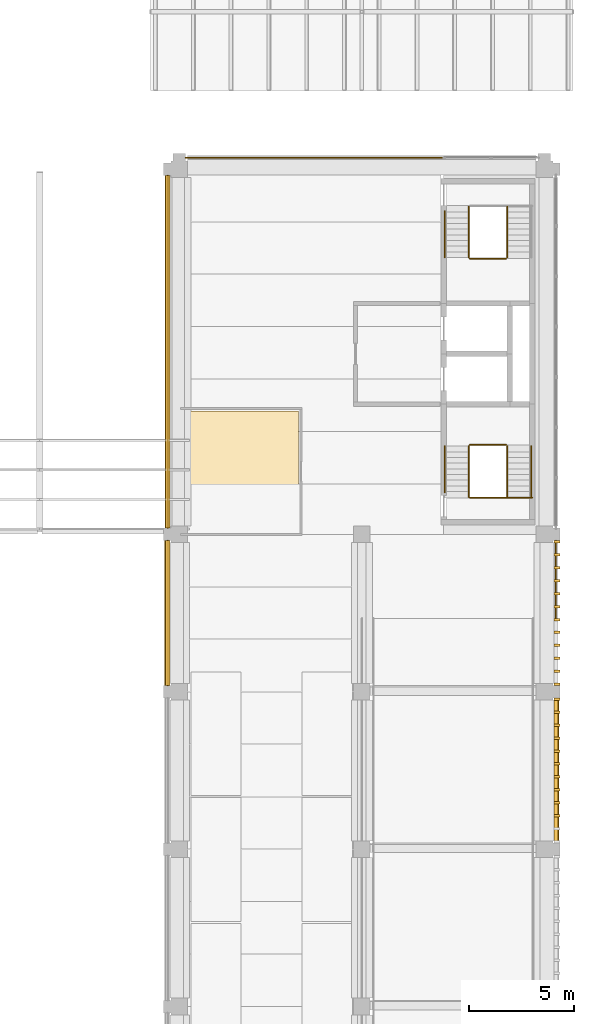
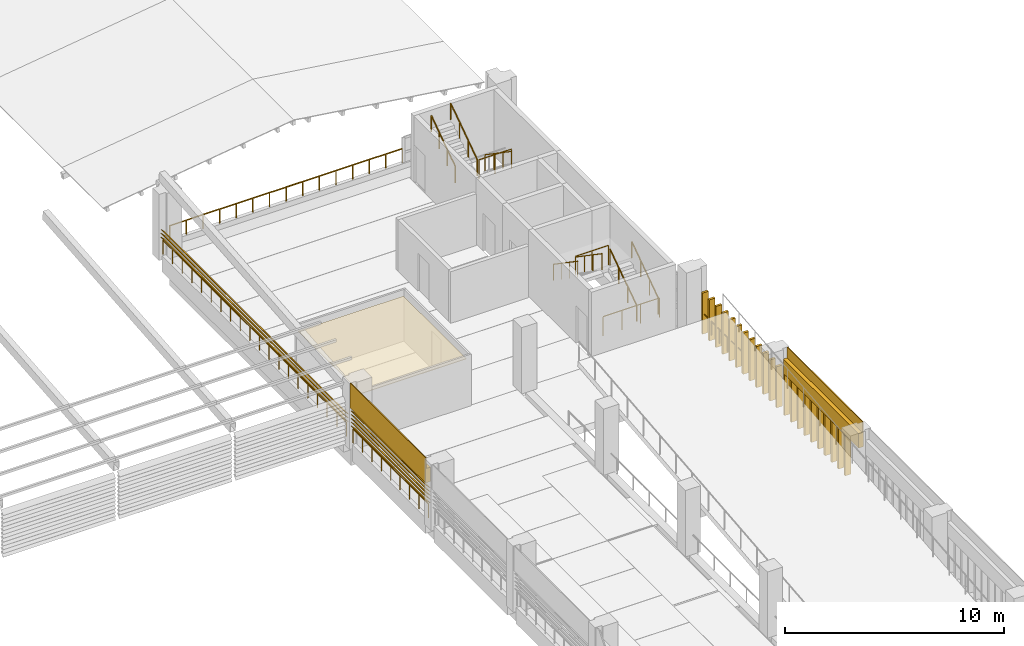
# One storey, part 49 of 52: 25 coverings, 14 railings, 8 shading devices.
"""IFC4 building model written with IfcOpenShell, lengths in metres."""

from ifc_helpers import new_model, si_unit, direction, frame, origin, origin_2d, place, context, subcontext, project, spatial, polyline, circle, outline, extrude, material, layer, layer_set, type_object, element, save


model = new_model("IFC4")

# Units and contexts
model_context = context("Model", 3, precision=1e-05, world=origin(), true_north=direction((0.0, 1.0)))
body_context = subcontext(model_context, "Body", "Model", "MODEL_VIEW")
ifc_project = project(units=[si_unit("LENGTHUNIT", "METRE"), si_unit("AREAUNIT", "SQUARE_METRE"), si_unit("VOLUMEUNIT", "CUBIC_METRE"), si_unit("PLANEANGLEUNIT", "RADIAN"), si_unit("MASSUNIT", "GRAM", prefix="KILO")], contexts=[model_context])

# Site, building, storey
site_placement = place(None, origin())
site = spatial("IfcSite", under=ifc_project, at=site_placement, CompositionType="ELEMENT")
building_placement = place(site_placement, origin())
building = spatial("IfcBuilding", under=site, at=building_placement, Name="Cour d'Honneur Mobility Palace", CompositionType="ELEMENT")
storey_placement = place(building_placement, frame((0.0, 0.0, 23.0)))
storey = spatial("IfcBuildingStorey", under=building, at=storey_placement, Name="L06", CompositionType="ELEMENT", Elevation=23.0)

# Railings
ifc_material_1 = material(Name="Painted steel", Category="steel")
railing_type_1 = type_object("IfcRailingType", Name="Balustrade", PredefinedType="BALUSTRADE", material=ifc_material_1)
railing_1_placement = place(storey_placement, frame((162.85009765625, 41.0, 0.300048828125)))
element("IfcRailing", 1, at=railing_1_placement, inside=storey, type_object=railing_type_1, Name="Balustrade BAL-353", PredefinedType="BALUSTRADE", context=body_context, shape_type="SweptSolid", body=[
    extrude(circle(Radius=0.02392578125, at=origin_2d()), frame((0.0, 0.0, 0.77587890625), z_axis=(0.0, 1.0, 0.0), x_axis=(-1.0, 0.0, 0.0)), (0.0, 0.0, 1.0), 3.699951171875),
    extrude(circle(Radius=0.02099609375, at=origin_2d()), origin(), (0.0, 0.0, 1.0), 0.751953125),
    extrude(circle(Radius=0.02099609375, at=origin_2d()), frame((0.0, 0.739990234375, 0.0)), (0.0, 0.0, 1.0), 0.751953125),
    extrude(circle(Radius=0.02099609375, at=origin_2d()), frame((0.0, 1.47998046875, 0.0)), (0.0, 0.0, 1.0), 0.751953125),
    extrude(circle(Radius=0.02099609375, at=origin_2d()), frame((0.0, 2.219970703125, 0.0)), (0.0, 0.0, 1.0), 0.751953125),
    extrude(circle(Radius=0.02099609375, at=origin_2d()), frame((0.0, 2.9599609375, 0.0)), (0.0, 0.0, 1.0), 0.751953125),
    extrude(circle(Radius=0.02099609375, at=origin_2d()), frame((0.0, 3.699951171875, 0.0)), (0.0, 0.0, 1.0), 0.751953125),
])
railing_2_placement = place(storey_placement, frame((157.5, 62.949951171875, 0.300048828125)))
element("IfcRailing", 2, at=railing_2_placement, inside=storey, type_object=railing_type_1, Name="Balustrade BAL-354", PredefinedType="BALUSTRADE", context=body_context, shape_type="SweptSolid", body=[
    extrude(circle(Radius=0.02392578125, at=origin_2d()), frame((0.0, 0.0, 0.77587890625), z_axis=(-1.0, 0.0, 0.0), x_axis=(0.0, -1.0, 0.0)), (0.0, 0.0, 1.0), 12.300048828125),
    extrude(circle(Radius=0.02099609375, at=origin_2d()), origin(), (0.0, 0.0, 1.0), 0.751953125),
    extrude(circle(Radius=0.02099609375, at=origin_2d()), frame((-0.878662109375, 0.0, 0.0)), (0.0, 0.0, 1.0), 0.751953125),
    extrude(circle(Radius=0.02099609375, at=origin_2d()), frame((-1.757080078125, 0.0, 0.0)), (0.0, 0.0, 1.0), 0.751953125),
    extrude(circle(Radius=0.02099609375, at=origin_2d()), frame((-2.6357421875, 0.0, 0.0)), (0.0, 0.0, 1.0), 0.751953125),
    extrude(circle(Radius=0.02099609375, at=origin_2d()), frame((-3.514404296875, 0.0, 0.0)), (0.0, 0.0, 1.0), 0.751953125),
    extrude(circle(Radius=0.02099609375, at=origin_2d()), frame((-4.392822265625, 0.0, 0.0)), (0.0, 0.0, 1.0), 0.751953125),
    extrude(circle(Radius=0.02099609375, at=origin_2d()), frame((-5.271484375, 0.0, 0.0)), (0.0, 0.0, 1.0), 0.751953125),
    extrude(circle(Radius=0.02099609375, at=origin_2d()), frame((-6.14990234375, 0.0, 0.0)), (0.0, 0.0, 1.0), 0.751953125),
    extrude(circle(Radius=0.02099609375, at=origin_2d()), frame((-7.028564453125, 0.0, 0.0)), (0.0, 0.0, 1.0), 0.751953125),
    extrude(circle(Radius=0.02099609375, at=origin_2d()), frame((-7.9072265625, 0.0, 0.0)), (0.0, 0.0, 1.0), 0.751953125),
    extrude(circle(Radius=0.02099609375, at=origin_2d()), frame((-8.78564453125, 0.0, 0.0)), (0.0, 0.0, 1.0), 0.751953125),
    extrude(circle(Radius=0.02099609375, at=origin_2d()), frame((-9.664306640625, 0.0, 0.0)), (0.0, 0.0, 1.0), 0.751953125),
    extrude(circle(Radius=0.02099609375, at=origin_2d()), frame((-10.54296875, 0.0, 0.0)), (0.0, 0.0, 1.0), 0.751953125),
    extrude(circle(Radius=0.02099609375, at=origin_2d()), frame((-11.42138671875, 0.0, 0.0)), (0.0, 0.0, 1.0), 0.751953125),
    extrude(circle(Radius=0.02099609375, at=origin_2d()), frame((-12.300048828125, 0.0, 0.0)), (0.0, 0.0, 1.0), 0.751953125),
])
railing_3_placement = place(storey_placement, frame((144.35009765625, 62.10009765625, 0.300048828125)))
element("IfcRailing", 3, at=railing_3_placement, inside=storey, type_object=railing_type_1, Name="Balustrade BAL-355", PredefinedType="BALUSTRADE", context=body_context, shape_type="SweptSolid", body=[
    extrude(circle(Radius=0.02392578125, at=origin_2d()), frame((0.0, 0.0, 0.77587890625), z_axis=(0.0, -1.0, 0.0), x_axis=(1.0, 0.0, 0.0)), (0.0, 0.0, 1.0), 16.800048828125),
    extrude(circle(Radius=0.02099609375, at=origin_2d()), origin(), (0.0, 0.0, 1.0), 0.751953125),
    extrude(circle(Radius=0.02099609375, at=origin_2d()), frame((0.0, -0.88427734375, 0.0)), (0.0, 0.0, 1.0), 0.751953125),
    extrude(circle(Radius=0.02099609375, at=origin_2d()), frame((0.0, -1.768310546875, 0.0)), (0.0, 0.0, 1.0), 0.751953125),
    extrude(circle(Radius=0.02099609375, at=origin_2d()), frame((0.0, -2.652587890625, 0.0)), (0.0, 0.0, 1.0), 0.751953125),
    extrude(circle(Radius=0.02099609375, at=origin_2d()), frame((0.0, -3.536865234375, 0.0)), (0.0, 0.0, 1.0), 0.751953125),
    extrude(circle(Radius=0.02099609375, at=origin_2d()), frame((0.0, -4.421142578125, 0.0)), (0.0, 0.0, 1.0), 0.751953125),
    extrude(circle(Radius=0.02099609375, at=origin_2d()), frame((0.0, -5.30517578125, 0.0)), (0.0, 0.0, 1.0), 0.751953125),
    extrude(circle(Radius=0.02099609375, at=origin_2d()), frame((0.0, -6.189453125, 0.0)), (0.0, 0.0, 1.0), 0.751953125),
    extrude(circle(Radius=0.02099609375, at=origin_2d()), frame((0.0, -7.07373046875, 0.0)), (0.0, 0.0, 1.0), 0.751953125),
    extrude(circle(Radius=0.02099609375, at=origin_2d()), frame((0.0, -7.9580078125, 0.0)), (0.0, 0.0, 1.0), 0.751953125),
    extrude(circle(Radius=0.02099609375, at=origin_2d()), frame((0.0, -8.842041015625, 0.0)), (0.0, 0.0, 1.0), 0.751953125),
    extrude(circle(Radius=0.02099609375, at=origin_2d()), frame((0.0, -9.726318359375, 0.0)), (0.0, 0.0, 1.0), 0.751953125),
    extrude(circle(Radius=0.02099609375, at=origin_2d()), frame((0.0, -10.610595703125, 0.0)), (0.0, 0.0, 1.0), 0.751953125),
    extrude(circle(Radius=0.02099609375, at=origin_2d()), frame((0.0, -11.494873046875, 0.0)), (0.0, 0.0, 1.0), 0.751953125),
    extrude(circle(Radius=0.02099609375, at=origin_2d()), frame((0.0, -12.37890625, 0.0)), (0.0, 0.0, 1.0), 0.751953125),
    extrude(circle(Radius=0.02099609375, at=origin_2d()), frame((0.0, -13.26318359375, 0.0)), (0.0, 0.0, 1.0), 0.751953125),
    extrude(circle(Radius=0.02099609375, at=origin_2d()), frame((0.0, -14.1474609375, 0.0)), (0.0, 0.0, 1.0), 0.751953125),
    extrude(circle(Radius=0.02099609375, at=origin_2d()), frame((0.0, -15.03173828125, 0.0)), (0.0, 0.0, 1.0), 0.751953125),
    extrude(circle(Radius=0.02099609375, at=origin_2d()), frame((0.0, -15.915771484375, 0.0)), (0.0, 0.0, 1.0), 0.751953125),
    extrude(circle(Radius=0.02099609375, at=origin_2d()), frame((0.0, -16.800048828125, 0.0)), (0.0, 0.0, 1.0), 0.751953125),
])
railing_4_placement = place(storey_placement, frame((144.35009765625, 44.699951171875, 0.300048828125)))
element("IfcRailing", 4, at=railing_4_placement, inside=storey, type_object=railing_type_1, Name="Balustrade BAL-356", PredefinedType="BALUSTRADE", context=body_context, shape_type="SweptSolid", body=[
    extrude(circle(Radius=0.02392578125, at=origin_2d()), frame((0.0, 0.0, 0.77587890625), z_axis=(0.0, -1.0, 0.0), x_axis=(1.0, 0.0, 0.0)), (0.0, 0.0, 1.0), 6.89990234375),
    extrude(circle(Radius=0.02099609375, at=origin_2d()), origin(), (0.0, 0.0, 1.0), 0.751953125),
    extrude(circle(Radius=0.02099609375, at=origin_2d()), frame((0.0, -0.862548828125, 0.0)), (0.0, 0.0, 1.0), 0.751953125),
    extrude(circle(Radius=0.02099609375, at=origin_2d()), frame((0.0, -1.72509765625, 0.0)), (0.0, 0.0, 1.0), 0.751953125),
    extrude(circle(Radius=0.02099609375, at=origin_2d()), frame((0.0, -2.58740234375, 0.0)), (0.0, 0.0, 1.0), 0.751953125),
    extrude(circle(Radius=0.02099609375, at=origin_2d()), frame((0.0, -3.449951171875, 0.0)), (0.0, 0.0, 1.0), 0.751953125),
    extrude(circle(Radius=0.02099609375, at=origin_2d()), frame((0.0, -4.3125, 0.0)), (0.0, 0.0, 1.0), 0.751953125),
    extrude(circle(Radius=0.02099609375, at=origin_2d()), frame((0.0, -5.1748046875, 0.0)), (0.0, 0.0, 1.0), 0.751953125),
    extrude(circle(Radius=0.02099609375, at=origin_2d()), frame((0.0, -6.037353515625, 0.0)), (0.0, 0.0, 1.0), 0.751953125),
    extrude(circle(Radius=0.02099609375, at=origin_2d()), frame((0.0, -6.89990234375, 0.0)), (0.0, 0.0, 1.0), 0.751953125),
])
ifc_material_2 = material(Name="Painted steel", Category="steel")
railing_type_2 = type_object("IfcRailingType", Name="Guardrail 1100", PredefinedType="GUARDRAIL", material=ifc_material_2)
railing_5_placement = place(storey_placement, frame((158.75, 46.7548828125, 0.0)))
element("IfcRailing", 5, at=railing_5_placement, inside=storey, type_object=railing_type_2, Name="Guard ST-CE1", PredefinedType="GUARDRAIL", context=body_context, shape_type="SweptSolid", body=[
    extrude(circle(Radius=0.02490234375, at=origin_2d()), frame((0.0, 0.0, 1.0751953125), z_axis=(1.0, 0.0, 0.0), x_axis=(0.0, 1.0, 0.0)), (0.0, 0.0, 1.0), 2.97509765625),
    extrude(circle(Radius=0.02099609375, at=origin_2d()), origin(), (0.0, 0.0, 1.0), 1.050048828125),
    extrude(circle(Radius=0.02099609375, at=origin_2d()), frame((0.99169921875, 0.0, 0.0)), (0.0, 0.0, 1.0), 1.050048828125),
    extrude(circle(Radius=0.02099609375, at=origin_2d()), frame((1.9833984375, 0.0, 0.0)), (0.0, 0.0, 1.0), 1.050048828125),
    extrude(circle(Radius=0.02099609375, at=origin_2d()), frame((2.97509765625, 0.0, 0.0)), (0.0, 0.0, 1.0), 1.050048828125),
])
for number, where, name in (
    (6, (158.75, 49.264892578125, 1.85009765625), "Landing guard ST-CE1"),
    (7, (158.75, 58.135009765625, 1.85009765625), "Landing guard ST-CE2"),
):
    element("IfcRailing", number, at=place(storey_placement, frame(where)), inside=storey, type_object=railing_type_2, Name=name, PredefinedType="GUARDRAIL", context=body_context, shape_type="SweptSolid", body=[
        extrude(circle(Radius=0.02490234375, at=origin_2d()), frame((0.0, 0.0, 1.0751953125), z_axis=(1.0, 0.0, 0.0), x_axis=(0.0, 1.0, 0.0)), (0.0, 0.0, 1.0), 1.72509765625),
        extrude(circle(Radius=0.02099609375, at=origin_2d()), origin(), (0.0, 0.0, 1.0), 1.050048828125),
        extrude(circle(Radius=0.02099609375, at=origin_2d()), frame((0.862548828125, 0.0, 0.0)), (0.0, 0.0, 1.0), 1.050048828125),
        extrude(circle(Radius=0.02099609375, at=origin_2d()), frame((1.72509765625, 0.0, 0.0)), (0.0, 0.0, 1.0), 1.050048828125),
    ])
ifc_material_3 = material(Name="Stainless steel", Category="steel")
railing_type_3 = type_object("IfcRailingType", Name="Handrail round 50", PredefinedType="HANDRAIL", material=ifc_material_3)
for number, where, name in (
    (8, (161.675048828125, 46.77490234375, 0.18505859375), "Handrail ST-CE1"),
    (9, (160.52490234375, 46.77490234375, 0.18505859375), "Handrail ST-CE1"),
):
    element("IfcRailing", number, at=place(storey_placement, frame(where)), inside=storey, type_object=railing_type_3, Name=name, PredefinedType="HANDRAIL", context=body_context, shape_type="SweptSolid", body=[
        extrude(circle(Radius=0.02490234375, at=origin_2d()), frame((0.0, 0.0, 0.89501953125), z_axis=(0.0, 0.824945253146, 0.565212640793), x_axis=(-1.0, 0.0, 0.0)), (0.0, 0.0, 1.0), 2.94580078125),
        extrude(circle(Radius=0.02099609375, at=origin_2d()), origin(), (0.0, 0.0, 1.0), 0.869873046875),
        extrude(circle(Radius=0.02099609375, at=origin_2d()), frame((0.0, 0.81005859375, 0.554931640625)), (0.0, 0.0, 1.0), 0.869873046875),
        extrude(circle(Radius=0.02099609375, at=origin_2d()), frame((0.0, 1.6201171875, 1.110107421875)), (0.0, 0.0, 1.0), 0.869873046875),
        extrude(circle(Radius=0.02099609375, at=origin_2d()), frame((0.0, 2.43017578125, 1.6650390625)), (0.0, 0.0, 1.0), 0.869873046875),
    ])
railing_6_placement = place(storey_placement, frame((158.699951171875, 49.205078125, 2.034912109375)))
element("IfcRailing", 10, at=railing_6_placement, inside=storey, type_object=railing_type_3, Name="Handrail ST-CE1", PredefinedType="HANDRAIL", context=body_context, shape_type="SweptSolid", body=[
    extrude(circle(Radius=0.02490234375, at=origin_2d()), frame((0.0, 0.0, 0.89501953125), z_axis=(0.0, -0.824945253146, 0.565212640793), x_axis=(1.0, 0.0, 0.0)), (0.0, 0.0, 1.0), 2.94580078125),
    extrude(circle(Radius=0.02099609375, at=origin_2d()), origin(), (0.0, 0.0, 1.0), 0.869873046875),
    extrude(circle(Radius=0.02099609375, at=origin_2d()), frame((0.0, -0.81005859375, 0.554931640625)), (0.0, 0.0, 1.0), 0.869873046875),
    extrude(circle(Radius=0.02099609375, at=origin_2d()), frame((0.0, -1.6201171875, 1.110107421875)), (0.0, 0.0, 1.0), 0.869873046875),
    extrude(circle(Radius=0.02099609375, at=origin_2d()), frame((0.0, -2.43017578125, 1.6650390625)), (0.0, 0.0, 1.0), 0.869873046875),
])
railing_7_placement = place(storey_placement, frame((157.550048828125, 49.205078125, 2.034912109375)))
element("IfcRailing", 11, at=railing_7_placement, inside=storey, type_object=railing_type_3, Name="Handrail ST-CE1", PredefinedType="HANDRAIL", context=body_context, shape_type="SweptSolid", body=[
    extrude(circle(Radius=0.02490234375, at=origin_2d()), frame((0.0, 0.0, 0.89501953125), z_axis=(0.0, -0.824915021957, 0.565256761613), x_axis=(1.0, 0.0, 0.0)), (0.0, 0.0, 1.0), 2.673095703125),
    extrude(circle(Radius=0.02099609375, at=origin_2d()), origin(), (0.0, 0.0, 1.0), 0.869873046875),
    extrude(circle(Radius=0.02099609375, at=origin_2d()), frame((0.0, -0.735107421875, 0.503662109375)), (0.0, 0.0, 1.0), 0.869873046875),
    extrude(circle(Radius=0.02099609375, at=origin_2d()), frame((0.0, -1.469970703125, 1.00732421875)), (0.0, 0.0, 1.0), 0.869873046875),
    extrude(circle(Radius=0.02099609375, at=origin_2d()), frame((0.0, -2.205078125, 1.510986328125)), (0.0, 0.0, 1.0), 0.869873046875),
])
railing_8_placement = place(storey_placement, frame((160.52490234375, 60.625, 0.18505859375)))
element("IfcRailing", 12, at=railing_8_placement, inside=storey, type_object=railing_type_3, Name="Handrail ST-CE2", PredefinedType="HANDRAIL", context=body_context, shape_type="SweptSolid", body=[
    extrude(circle(Radius=0.02490234375, at=origin_2d()), frame((0.0, 0.0, 0.89501953125), z_axis=(0.0, -0.8249187745, 0.56525128525), x_axis=(1.0, 0.0, 0.0)), (0.0, 0.0, 1.0), 2.945556640625),
    extrude(circle(Radius=0.02099609375, at=origin_2d()), origin(), (0.0, 0.0, 1.0), 0.869873046875),
    extrude(circle(Radius=0.02099609375, at=origin_2d()), frame((0.0, -0.81005859375, 0.554931640625)), (0.0, 0.0, 1.0), 0.869873046875),
    extrude(circle(Radius=0.02099609375, at=origin_2d()), frame((0.0, -1.619873046875, 1.110107421875)), (0.0, 0.0, 1.0), 0.869873046875),
    extrude(circle(Radius=0.02099609375, at=origin_2d()), frame((0.0, -2.429931640625, 1.6650390625)), (0.0, 0.0, 1.0), 0.869873046875),
])
railing_9_placement = place(storey_placement, frame((158.699951171875, 58.195068359375, 2.034912109375)))
element("IfcRailing", 13, at=railing_9_placement, inside=storey, type_object=railing_type_3, Name="Handrail ST-CE2", PredefinedType="HANDRAIL", context=body_context, shape_type="SweptSolid", body=[
    extrude(circle(Radius=0.02490234375, at=origin_2d()), frame((0.0, 0.0, 0.89501953125), z_axis=(0.0, 0.8249187745, 0.56525128525), x_axis=(-1.0, 0.0, 0.0)), (0.0, 0.0, 1.0), 2.945556640625),
    extrude(circle(Radius=0.02099609375, at=origin_2d()), origin(), (0.0, 0.0, 1.0), 0.869873046875),
    extrude(circle(Radius=0.02099609375, at=origin_2d()), frame((0.0, 0.81005859375, 0.554931640625)), (0.0, 0.0, 1.0), 0.869873046875),
    extrude(circle(Radius=0.02099609375, at=origin_2d()), frame((0.0, 1.619873046875, 1.110107421875)), (0.0, 0.0, 1.0), 0.869873046875),
    extrude(circle(Radius=0.02099609375, at=origin_2d()), frame((0.0, 2.429931640625, 1.6650390625)), (0.0, 0.0, 1.0), 0.869873046875),
])
railing_10_placement = place(storey_placement, frame((157.550048828125, 58.195068359375, 2.034912109375)))
element("IfcRailing", 14, at=railing_10_placement, inside=storey, type_object=railing_type_3, Name="Handrail ST-CE2", PredefinedType="HANDRAIL", context=body_context, shape_type="SweptSolid", body=[
    extrude(circle(Radius=0.02490234375, at=origin_2d()), frame((0.0, 0.0, 0.89501953125), z_axis=(0.0, 0.82488583654, 0.565299351384), x_axis=(-1.0, 0.0, 0.0)), (0.0, 0.0, 1.0), 2.6728515625),
    extrude(circle(Radius=0.02099609375, at=origin_2d()), origin(), (0.0, 0.0, 1.0), 0.869873046875),
    extrude(circle(Radius=0.02099609375, at=origin_2d()), frame((0.0, 0.73486328125, 0.503662109375)), (0.0, 0.0, 1.0), 0.869873046875),
    extrude(circle(Radius=0.02099609375, at=origin_2d()), frame((0.0, 1.469970703125, 1.00732421875)), (0.0, 0.0, 1.0), 0.869873046875),
    extrude(circle(Radius=0.02099609375, at=origin_2d()), frame((0.0, 2.204833984375, 1.510986328125)), (0.0, 0.0, 1.0), 0.869873046875),
])

# Coverings
ifc_material_4 = material(Name="Cast limestone", Category="masonry")
ifc_layer_1 = layer(ifc_material_4, 0.1201171875)
ifc_layer_set_1 = layer_set([ifc_layer_1], Name="Cast limestone")
covering_type_1 = type_object("IfcCoveringType", Name="Ramp screen fin", PredefinedType="CLADDING", material=ifc_layer_set_1)
covering_1_placement = place(storey_placement, origin())
element("IfcCovering", 15, at=covering_1_placement, inside=storey, type_object=covering_type_1, Name="Ramp screen fin E5.4 L06 3", PredefinedType="CLADDING", context=body_context, shape_type="SweptSolid", body=[
    extrude(outline(polyline([(162.75, 31.53271484375), (162.75, 31.65283203125), (163.050048828125, 31.65283203125), (163.050048828125, 31.53271484375), (162.75, 31.53271484375)])), origin(), (0.0, 0.0, 1.0), 2.300048828125),
])
covering_2_placement = place(storey_placement, origin())
element("IfcCovering", 16, at=covering_2_placement, inside=storey, type_object=covering_type_1, Name="Ramp screen fin E5.4 L06 4", PredefinedType="CLADDING", context=body_context, shape_type="SweptSolid", body=[
    extrude(outline(polyline([(162.75, 32.149169921875), (162.75, 32.26904296875), (163.050048828125, 32.26904296875), (163.050048828125, 32.149169921875), (162.75, 32.149169921875)])), origin(), (0.0, 0.0, 1.0), 2.300048828125),
])
covering_3_placement = place(storey_placement, origin())
element("IfcCovering", 17, at=covering_3_placement, inside=storey, type_object=covering_type_1, Name="Ramp screen fin E5.4 L06 5", PredefinedType="CLADDING", context=body_context, shape_type="SweptSolid", body=[
    extrude(outline(polyline([(162.75, 32.765380859375), (162.75, 32.885498046875), (163.050048828125, 32.885498046875), (163.050048828125, 32.765380859375), (162.75, 32.765380859375)])), origin(), (0.0, 0.0, 1.0), 2.300048828125),
])
covering_4_placement = place(storey_placement, origin())
element("IfcCovering", 18, at=covering_4_placement, inside=storey, type_object=covering_type_1, Name="Ramp screen fin E5.4 L06 6", PredefinedType="CLADDING", context=body_context, shape_type="SweptSolid", body=[
    extrude(outline(polyline([(162.75, 33.3818359375), (162.75, 33.501708984375), (163.050048828125, 33.501708984375), (163.050048828125, 33.3818359375), (162.75, 33.3818359375)])), origin(), (0.0, 0.0, 1.0), 2.300048828125),
])
covering_5_placement = place(storey_placement, origin())
element("IfcCovering", 19, at=covering_5_placement, inside=storey, type_object=covering_type_1, Name="Ramp screen fin E5.4 L06 7", PredefinedType="CLADDING", context=body_context, shape_type="SweptSolid", body=[
    extrude(outline(polyline([(162.75, 33.998291015625), (162.75, 34.1181640625), (163.050048828125, 34.1181640625), (163.050048828125, 33.998291015625), (162.75, 33.998291015625)])), origin(), (0.0, 0.0, 1.0), 2.300048828125),
])
covering_6_placement = place(storey_placement, origin())
element("IfcCovering", 20, at=covering_6_placement, inside=storey, type_object=covering_type_1, Name="Ramp screen fin E5.4 L06 8", PredefinedType="CLADDING", context=body_context, shape_type="SweptSolid", body=[
    extrude(outline(polyline([(162.75, 34.614501953125), (162.75, 34.734619140625), (163.050048828125, 34.734619140625), (163.050048828125, 34.614501953125), (162.75, 34.614501953125)])), origin(), (0.0, 0.0, 1.0), 2.300048828125),
])
covering_7_placement = place(storey_placement, origin())
element("IfcCovering", 21, at=covering_7_placement, inside=storey, type_object=covering_type_1, Name="Ramp screen fin E5.4 L06 9", PredefinedType="CLADDING", context=body_context, shape_type="SweptSolid", body=[
    extrude(outline(polyline([(162.75, 35.23095703125), (162.75, 35.350830078125), (163.050048828125, 35.350830078125), (163.050048828125, 35.23095703125), (162.75, 35.23095703125)])), origin(), (0.0, 0.0, 1.0), 2.300048828125),
])
covering_8_placement = place(storey_placement, origin())
element("IfcCovering", 22, at=covering_8_placement, inside=storey, type_object=covering_type_1, Name="Ramp screen fin E5.4 L06 10", PredefinedType="CLADDING", context=body_context, shape_type="SweptSolid", body=[
    extrude(outline(polyline([(162.75, 35.84716796875), (162.75, 35.96728515625), (163.050048828125, 35.96728515625), (163.050048828125, 35.84716796875), (162.75, 35.84716796875)])), origin(), (0.0, 0.0, 1.0), 2.300048828125),
])
covering_9_placement = place(storey_placement, origin())
element("IfcCovering", 23, at=covering_9_placement, inside=storey, type_object=covering_type_1, Name="Ramp screen fin E5.4 L06 11", PredefinedType="CLADDING", context=body_context, shape_type="SweptSolid", body=[
    extrude(outline(polyline([(162.75, 36.463623046875), (162.75, 36.583740234375), (163.050048828125, 36.583740234375), (163.050048828125, 36.463623046875), (162.75, 36.463623046875)])), origin(), (0.0, 0.0, 1.0), 2.300048828125),
])
covering_10_placement = place(storey_placement, origin())
element("IfcCovering", 24, at=covering_10_placement, inside=storey, type_object=covering_type_1, Name="Ramp screen fin E5.4 L06 12", PredefinedType="CLADDING", context=body_context, shape_type="SweptSolid", body=[
    extrude(outline(polyline([(162.75, 37.080078125), (162.75, 37.199951171875), (163.050048828125, 37.199951171875), (163.050048828125, 37.080078125), (162.75, 37.080078125)])), origin(), (0.0, 0.0, 1.0), 2.300048828125),
])
covering_11_placement = place(storey_placement, origin())
element("IfcCovering", 25, at=covering_11_placement, inside=storey, type_object=covering_type_1, Name="Ramp screen fin E5.5 L06 1", PredefinedType="CLADDING", context=body_context, shape_type="SweptSolid", body=[
    extrude(outline(polyline([(162.75, 37.800048828125), (162.75, 37.919921875), (163.050048828125, 37.919921875), (163.050048828125, 37.800048828125), (162.75, 37.800048828125)])), origin(), (0.0, 0.0, 1.0), 2.300048828125),
])
covering_12_placement = place(storey_placement, origin())
element("IfcCovering", 26, at=covering_12_placement, inside=storey, type_object=covering_type_1, Name="Ramp screen fin E5.5 L06 2", PredefinedType="CLADDING", context=body_context, shape_type="SweptSolid", body=[
    extrude(outline(polyline([(162.75, 38.416259765625), (162.75, 38.536376953125), (163.050048828125, 38.536376953125), (163.050048828125, 38.416259765625), (162.75, 38.416259765625)])), origin(), (0.0, 0.0, 1.0), 2.300048828125),
])
covering_13_placement = place(storey_placement, origin())
element("IfcCovering", 27, at=covering_13_placement, inside=storey, type_object=covering_type_1, Name="Ramp screen fin E5.5 L06 3", PredefinedType="CLADDING", context=body_context, shape_type="SweptSolid", body=[
    extrude(outline(polyline([(162.75, 39.03271484375), (162.75, 39.15283203125), (163.050048828125, 39.15283203125), (163.050048828125, 39.03271484375), (162.75, 39.03271484375)])), origin(), (0.0, 0.0, 1.0), 2.300048828125),
])
covering_14_placement = place(storey_placement, origin())
element("IfcCovering", 28, at=covering_14_placement, inside=storey, type_object=covering_type_1, Name="Ramp screen fin E5.5 L06 4", PredefinedType="CLADDING", context=body_context, shape_type="SweptSolid", body=[
    extrude(outline(polyline([(162.75, 39.649169921875), (162.75, 39.76904296875), (163.050048828125, 39.76904296875), (163.050048828125, 39.649169921875), (162.75, 39.649169921875)])), origin(), (0.0, 0.0, 1.0), 2.300048828125),
])
covering_15_placement = place(storey_placement, origin())
element("IfcCovering", 29, at=covering_15_placement, inside=storey, type_object=covering_type_1, Name="Ramp screen fin E5.5 L06 5", PredefinedType="CLADDING", context=body_context, shape_type="SweptSolid", body=[
    extrude(outline(polyline([(162.75, 40.265380859375), (162.75, 40.385498046875), (163.050048828125, 40.385498046875), (163.050048828125, 40.265380859375), (162.75, 40.265380859375)])), origin(), (0.0, 0.0, 1.0), 2.300048828125),
])
covering_16_placement = place(storey_placement, origin())
element("IfcCovering", 30, at=covering_16_placement, inside=storey, type_object=covering_type_1, Name="Ramp screen fin E5.5 L06 6", PredefinedType="CLADDING", context=body_context, shape_type="SweptSolid", body=[
    extrude(outline(polyline([(162.75, 40.8818359375), (162.75, 41.001708984375), (163.050048828125, 41.001708984375), (163.050048828125, 40.8818359375), (162.75, 40.8818359375)])), origin(), (0.0, 0.0, 1.0), 2.300048828125),
])
covering_17_placement = place(storey_placement, origin())
element("IfcCovering", 31, at=covering_17_placement, inside=storey, type_object=covering_type_1, Name="Ramp screen fin E5.5 L06 7", PredefinedType="CLADDING", context=body_context, shape_type="SweptSolid", body=[
    extrude(outline(polyline([(162.75, 41.498291015625), (162.75, 41.6181640625), (163.050048828125, 41.6181640625), (163.050048828125, 41.498291015625), (162.75, 41.498291015625)])), origin(), (0.0, 0.0, 1.0), 2.300048828125),
])
covering_18_placement = place(storey_placement, origin())
element("IfcCovering", 32, at=covering_18_placement, inside=storey, type_object=covering_type_1, Name="Ramp screen fin E5.5 L06 8", PredefinedType="CLADDING", context=body_context, shape_type="SweptSolid", body=[
    extrude(outline(polyline([(162.75, 42.114501953125), (162.75, 42.234619140625), (163.050048828125, 42.234619140625), (163.050048828125, 42.114501953125), (162.75, 42.114501953125)])), origin(), (0.0, 0.0, 1.0), 2.300048828125),
])
covering_19_placement = place(storey_placement, origin())
element("IfcCovering", 33, at=covering_19_placement, inside=storey, type_object=covering_type_1, Name="Ramp screen fin E5.5 L06 9", PredefinedType="CLADDING", context=body_context, shape_type="SweptSolid", body=[
    extrude(outline(polyline([(162.75, 42.73095703125), (162.75, 42.850830078125), (163.050048828125, 42.850830078125), (163.050048828125, 42.73095703125), (162.75, 42.73095703125)])), origin(), (0.0, 0.0, 1.0), 2.300048828125),
])
covering_20_placement = place(storey_placement, origin())
element("IfcCovering", 34, at=covering_20_placement, inside=storey, type_object=covering_type_1, Name="Ramp screen fin E5.5 L06 10", PredefinedType="CLADDING", context=body_context, shape_type="SweptSolid", body=[
    extrude(outline(polyline([(162.75, 43.34716796875), (162.75, 43.46728515625), (163.050048828125, 43.46728515625), (163.050048828125, 43.34716796875), (162.75, 43.34716796875)])), origin(), (0.0, 0.0, 1.0), 2.300048828125),
])
covering_21_placement = place(storey_placement, origin())
element("IfcCovering", 35, at=covering_21_placement, inside=storey, type_object=covering_type_1, Name="Ramp screen fin E5.5 L06 11", PredefinedType="CLADDING", context=body_context, shape_type="SweptSolid", body=[
    extrude(outline(polyline([(162.75, 43.963623046875), (162.75, 44.083740234375), (163.050048828125, 44.083740234375), (163.050048828125, 43.963623046875), (162.75, 43.963623046875)])), origin(), (0.0, 0.0, 1.0), 2.300048828125),
])
covering_22_placement = place(storey_placement, origin())
element("IfcCovering", 36, at=covering_22_placement, inside=storey, type_object=covering_type_1, Name="Ramp screen fin E5.5 L06 12", PredefinedType="CLADDING", context=body_context, shape_type="SweptSolid", body=[
    extrude(outline(polyline([(162.75, 44.580078125), (162.75, 44.699951171875), (163.050048828125, 44.699951171875), (163.050048828125, 44.580078125), (162.75, 44.580078125)])), origin(), (0.0, 0.0, 1.0), 2.300048828125),
])
ifc_material_5 = material(Name="Cast limestone", Category="masonry")
ifc_layer_2 = layer(ifc_material_5, 0.25)
ifc_layer_set_2 = layer_set([ifc_layer_2], Name="Cast limestone")
covering_type_2 = type_object("IfcCoveringType", Name="Spandrel cladding", PredefinedType="CLADDING", material=ifc_layer_set_2)
for number, where, z_axis, x_axis, name in (
    (37, (162.75, 30.300048828125, 2.300048828125), (0.0, -1.0, 0.0), (1.0, 0.0, 0.0), "Spandrel cladding SK-370"),
    (38, (144.449951171875, 44.699951171875, 2.300048828125), (0.0, 1.0, 0.0), (-1.0, 0.0, 0.0), "Spandrel cladding SK-371"),
):
    element("IfcCovering", number, at=place(storey_placement, frame(where, z_axis=z_axis, x_axis=x_axis)), inside=storey, type_object=covering_type_2, Name=name, PredefinedType="CLADDING", context=body_context, shape_type="SweptSolid", body=[
        extrude(outline(polyline([(0.0, 0.0), (0.25, 0.0), (0.25, 1.39990234375), (0.199951171875, 1.39990234375), (0.199951171875, 0.800048828125), (0.0, 0.800048828125), (0.0, 0.0)])), origin(), (0.0, 0.0, -1.0), 6.89990234375),
    ])
ifc_material_6 = material(Name="Suspended ceiling")
ifc_layer_3 = layer(ifc_material_6, 0.030029296875)
ifc_layer_set_3 = layer_set([ifc_layer_3], Name="Suspended ceiling")
covering_type_3 = type_object("IfcCoveringType", Name="Suspended ceiling", PredefinedType="CEILING", material=ifc_layer_set_3)
covering_23_placement = place(storey_placement, frame((0.0, 0.0, 2.550048828125)))
element("IfcCovering", 39, at=covering_23_placement, inside=storey, type_object=covering_type_3, Name="Ceiling Attendant Room", PredefinedType="CEILING", context=body_context, shape_type="SweptSolid", body=[
    extrude(outline(polyline([(150.580078125, 45.1201171875), (145.02001953125, 45.1201171875), (145.02001953125, 50.8798828125), (150.580078125, 50.8798828125), (150.580078125, 45.1201171875)])), origin(), (0.0, 0.0, 1.0), 0.030029296875),
])

# Shading devices
ifc_material_7 = material(Name="Terracotta", Category="masonry")
ifc_layer_4 = layer(ifc_material_7, 0.02490234375)
ifc_layer_set_4 = layer_set([ifc_layer_4], Name="Terracotta")
shading_device_type = type_object("IfcShadingDeviceType", Name="Terracotta louvre blade", PredefinedType="JALOUSIE", material=ifc_layer_set_4)
shading_device_1_placement = place(storey_placement, frame((144.4560546875, 44.699951171875, 1.10009765625), z_axis=(0.706699578995, 0.0, 0.707513749017), x_axis=(0.0, -1.0, 0.0)))
element("IfcShadingDevice", 40, at=shading_device_1_placement, inside=storey, type_object=shading_device_type, Name="Louvre blade LV-1 W7.1 L06 1", PredefinedType="JALOUSIE", context=body_context, shape_type="SweptSolid", body=[
    extrude(outline(polyline([(0.0, 0.0), (6.89990234375, 0.0), (6.89990234375, -0.29986442442957895), (0.0, -0.29986442442957895), (0.0, 0.0)])), origin(), (0.0, 0.0, -1.0), 0.02490234375),
])
for number, where, z_axis, x_axis, name in (
    (41, (144.4560546875, 44.699951171875, 1.31201171875), (0.707106781187, 0.0, 0.707106781187), (0.0, -1.0, 0.0), "Louvre blade LV-1 W7.1 L06 2"),
    (42, (144.4560546875, 44.699951171875, 1.524169921875), (0.707106781187, 0.0, 0.707106781187), (0.0, -1.0, 0.0), "Louvre blade LV-1 W7.1 L06 3"),
    (43, (144.4560546875, 44.699951171875, 1.736328125), (0.707106781187, 0.0, 0.707106781187), (0.0, -1.0, 0.0), "Louvre blade LV-1 W7.1 L06 4"),
    (44, (144.4560546875, 44.699951171875, 1.948486328125), (0.707106781187, 0.0, 0.707106781187), (0.0, -1.0, 0.0), "Louvre blade LV-1 W7.1 L06 5"),
):
    element("IfcShadingDevice", number, at=place(storey_placement, frame(where, z_axis=z_axis, x_axis=x_axis)), inside=storey, type_object=shading_device_type, Name=name, PredefinedType="JALOUSIE", context=body_context, shape_type="SweptSolid", body=[
        extrude(outline(polyline([(0.0, 0.0), (6.89990234375, 0.0), (6.89990234375, -0.300037008228081), (0.0, -0.300037008228081), (0.0, 0.0)])), origin(), (0.0, 0.0, -1.0), 0.02490234375),
    ])
shading_device_2_placement = place(storey_placement, frame((144.4560546875, 62.10009765625, 1.10009765625), z_axis=(0.706699578995, 0.0, 0.707513749017), x_axis=(0.0, -1.0, 0.0)))
element("IfcShadingDevice", 45, at=shading_device_2_placement, inside=storey, type_object=shading_device_type, Name="Louvre blade LV-1 W7.0 L06 1", PredefinedType="JALOUSIE", context=body_context, shape_type="SweptSolid", body=[
    extrude(outline(polyline([(0.0, 0.0), (16.800048828125, 0.0), (16.800048828125, -0.29986442442957895), (0.0, -0.29986442442957895), (0.0, 0.0)])), origin(), (0.0, 0.0, -1.0), 0.02490234375),
])
for number, where, z_axis, x_axis, name in (
    (46, (144.4560546875, 62.10009765625, 1.31201171875), (0.707106781187, 0.0, 0.707106781187), (0.0, -1.0, 0.0), "Louvre blade LV-1 W7.0 L06 2"),
    (47, (144.4560546875, 62.10009765625, 1.524169921875), (0.707106781187, 0.0, 0.707106781187), (0.0, -1.0, 0.0), "Louvre blade LV-1 W7.0 L06 3"),
):
    element("IfcShadingDevice", number, at=place(storey_placement, frame(where, z_axis=z_axis, x_axis=x_axis)), inside=storey, type_object=shading_device_type, Name=name, PredefinedType="JALOUSIE", context=body_context, shape_type="SweptSolid", body=[
        extrude(outline(polyline([(0.0, 0.0), (16.800048828125, 0.0), (16.800048828125, -0.30003700822808094), (0.0, -0.30003700822808094), (0.0, 0.0)])), origin(), (0.0, 0.0, -1.0), 0.02490234375),
    ])

save(model, "model.ifc")
